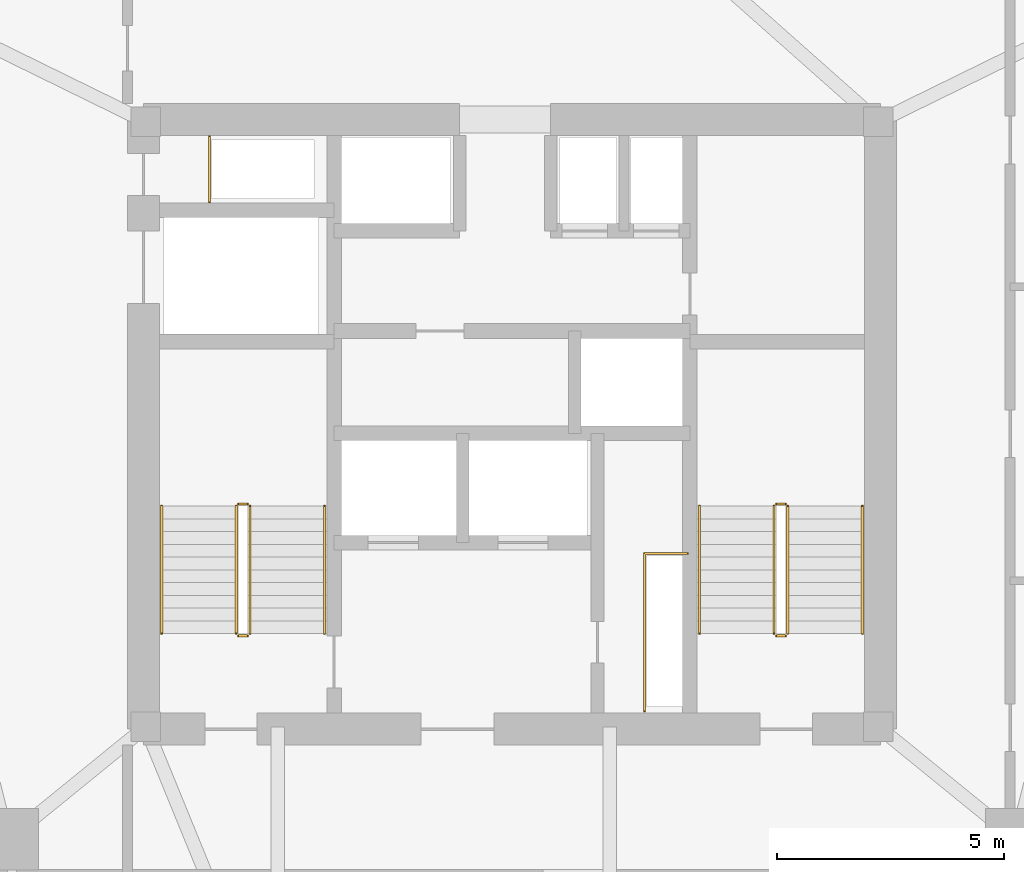
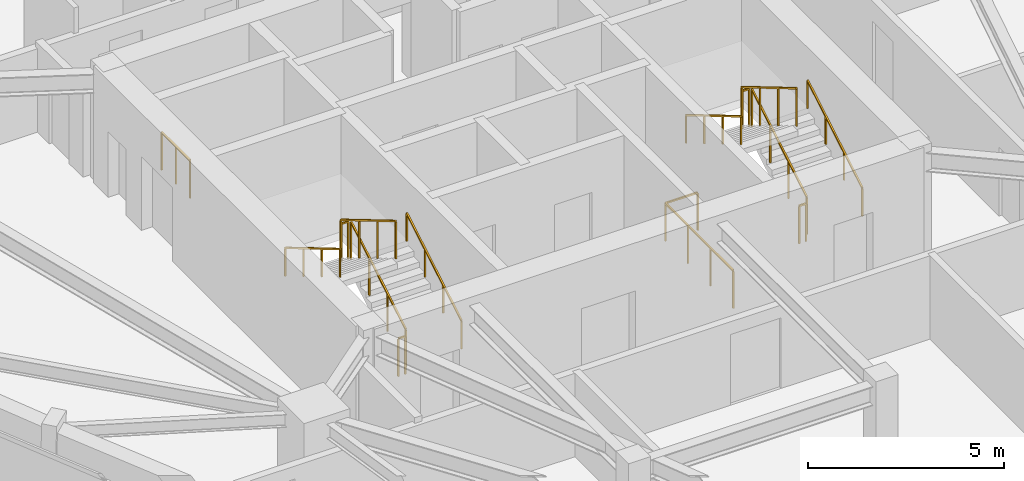
# One storey, part 12 of 12: 14 railings.
"""IFC4 building model written with IfcOpenShell, lengths in metres."""

from ifc_helpers import new_model, si_unit, direction, frame, origin, origin_2d, place, context, subcontext, project, spatial, rectangle, extrude, material, type_object, element, save


model = new_model("IFC4")

# Units and contexts
model_context = context("Model", 3, precision=1e-05, world=origin(), true_north=direction((0.0, 1.0)))
body_context = subcontext(model_context, "Body", "Model", "MODEL_VIEW")
ifc_project = project(units=[si_unit("LENGTHUNIT", "METRE"), si_unit("AREAUNIT", "SQUARE_METRE"), si_unit("VOLUMEUNIT", "CUBIC_METRE"), si_unit("PLANEANGLEUNIT", "RADIAN"), si_unit("MASSUNIT", "GRAM", prefix="KILO")], contexts=[model_context])

# Site, building, storey
site_placement = place(None, origin())
site = spatial("IfcSite", under=ifc_project, at=site_placement, CompositionType="ELEMENT")
building_placement = place(site_placement, origin())
building = spatial("IfcBuilding", under=site, at=building_placement, Name="Talyreon Biosciences Tower", CompositionType="ELEMENT")
storey_placement = place(building_placement, frame((0.0, 0.0, 183.050048828125)))
storey = spatial("IfcBuildingStorey", under=building, at=storey_placement, Name="L48", CompositionType="ELEMENT", Elevation=183.050048828125)

# Railings
ifc_material_1 = material(Name="Brushed stainless-steel tubular handrail", Category="steel")
railing_type_1 = type_object("IfcRailingType", Name="StairWallHandrail_900", PredefinedType="HANDRAIL", material=ifc_material_1)
railing_1_placement = place(storey_placement, frame((61.8798828125, 63.39990234375, 0.165771484375)))
element("IfcRailing", 1, at=railing_1_placement, inside=storey, type_object=railing_type_1, Name="L48 ST-1 stair handrail 1", PredefinedType="HANDRAIL", context=body_context, shape_type="SweptSolid", body=[
    extrude(rectangle(XDim=0.048095703125, YDim=0.048095703125, at=origin_2d()), frame((0.0, 0.0, 0.8759765625), z_axis=(0.0, 0.860306154799, 0.50977771628), x_axis=(-1.0, 0.0, 0.0)), (0.0, 0.0, 1.0), 3.254638671875),
    extrude(rectangle(XDim=0.0419921875, YDim=0.0419921875, at=origin_2d()), origin(), (0.0, 0.0, 1.0), 0.851806640625),
    extrude(rectangle(XDim=0.0419921875, YDim=0.0419921875, at=origin_2d()), frame((0.0, 0.933349609375, 0.552978515625)), (0.0, 0.0, 1.0), 0.851806640625),
    extrude(rectangle(XDim=0.0419921875, YDim=0.0419921875, at=origin_2d()), frame((0.0, 1.86669921875, 1.106201171875)), (0.0, 0.0, 1.0), 0.851806640625),
    extrude(rectangle(XDim=0.0419921875, YDim=0.0419921875, at=origin_2d()), frame((0.0, 2.800048828125, 1.6591796875)), (0.0, 0.0, 1.0), 0.851806640625),
])
railing_2_placement = place(storey_placement, frame((58.300048828125, 66.199951171875, 1.990966796875)))
element("IfcRailing", 2, at=railing_2_placement, inside=storey, type_object=railing_type_1, Name="L48 ST-1 stair handrail 2", PredefinedType="HANDRAIL", context=body_context, shape_type="SweptSolid", body=[
    extrude(rectangle(XDim=0.048095703125, YDim=0.048095703125, at=origin_2d()), frame((0.0, 0.0, 0.8759765625), z_axis=(0.0, -0.860339051648, 0.50972219513), x_axis=(1.0, 0.0, 0.0)), (0.0, 0.0, 1.0), 3.254638671875),
    extrude(rectangle(XDim=0.0419921875, YDim=0.0419921875, at=origin_2d()), origin(), (0.0, 0.0, 1.0), 0.851806640625),
    extrude(rectangle(XDim=0.0419921875, YDim=0.0419921875, at=origin_2d()), frame((0.0, -0.933349609375, 0.552978515625)), (0.0, 0.0, 1.0), 0.851806640625),
    extrude(rectangle(XDim=0.0419921875, YDim=0.0419921875, at=origin_2d()), frame((0.0, -1.86669921875, 1.10595703125)), (0.0, 0.0, 1.0), 0.851806640625),
    extrude(rectangle(XDim=0.0419921875, YDim=0.0419921875, at=origin_2d()), frame((0.0, -2.800048828125, 1.658935546875)), (0.0, 0.0, 1.0), 0.851806640625),
])
railing_3_placement = place(storey_placement, frame((73.699951171875, 63.39990234375, 0.165771484375)))
element("IfcRailing", 3, at=railing_3_placement, inside=storey, type_object=railing_type_1, Name="L48 ST-2 stair handrail 1", PredefinedType="HANDRAIL", context=body_context, shape_type="SweptSolid", body=[
    extrude(rectangle(XDim=0.048095703125, YDim=0.048095703125, at=origin_2d()), frame((0.0, 0.0, 0.8759765625), z_axis=(0.0, 0.860306154799, 0.50977771628), x_axis=(-1.0, 0.0, 0.0)), (0.0, 0.0, 1.0), 3.254638671875),
    extrude(rectangle(XDim=0.0419921875, YDim=0.0419921875, at=origin_2d()), origin(), (0.0, 0.0, 1.0), 0.851806640625),
    extrude(rectangle(XDim=0.0419921875, YDim=0.0419921875, at=origin_2d()), frame((0.0, 0.933349609375, 0.552978515625)), (0.0, 0.0, 1.0), 0.851806640625),
    extrude(rectangle(XDim=0.0419921875, YDim=0.0419921875, at=origin_2d()), frame((0.0, 1.86669921875, 1.106201171875)), (0.0, 0.0, 1.0), 0.851806640625),
    extrude(rectangle(XDim=0.0419921875, YDim=0.0419921875, at=origin_2d()), frame((0.0, 2.800048828125, 1.6591796875)), (0.0, 0.0, 1.0), 0.851806640625),
])
railing_4_placement = place(storey_placement, frame((70.1201171875, 66.199951171875, 1.990966796875)))
element("IfcRailing", 4, at=railing_4_placement, inside=storey, type_object=railing_type_1, Name="L48 ST-2 stair handrail 2", PredefinedType="HANDRAIL", context=body_context, shape_type="SweptSolid", body=[
    extrude(rectangle(XDim=0.048095703125, YDim=0.048095703125, at=origin_2d()), frame((0.0, 0.0, 0.8759765625), z_axis=(0.0, -0.860339051648, 0.50972219513), x_axis=(1.0, 0.0, 0.0)), (0.0, 0.0, 1.0), 3.254638671875),
    extrude(rectangle(XDim=0.0419921875, YDim=0.0419921875, at=origin_2d()), origin(), (0.0, 0.0, 1.0), 0.851806640625),
    extrude(rectangle(XDim=0.0419921875, YDim=0.0419921875, at=origin_2d()), frame((0.0, -0.933349609375, 0.552978515625)), (0.0, 0.0, 1.0), 0.851806640625),
    extrude(rectangle(XDim=0.0419921875, YDim=0.0419921875, at=origin_2d()), frame((0.0, -1.86669921875, 1.10595703125)), (0.0, 0.0, 1.0), 0.851806640625),
    extrude(rectangle(XDim=0.0419921875, YDim=0.0419921875, at=origin_2d()), frame((0.0, -2.800048828125, 1.658935546875)), (0.0, 0.0, 1.0), 0.851806640625),
])
ifc_material_2 = material(Name="Painted galvanised steel post-and-rail balustrade", Category="steel")
railing_type_2 = type_object("IfcRailingType", Name="TerraceStairGuard_1200", PredefinedType="GUARDRAIL", material=ifc_material_2)
railing_5_placement = place(storey_placement, frame((60.239990234375, 63.39990234375, 0.165771484375)))
element("IfcRailing", 5, at=railing_5_placement, inside=storey, type_object=railing_type_2, Name="L48 ST-1 stair guard 1", PredefinedType="GUARDRAIL", context=body_context, shape_type="SweptSolid", body=[
    extrude(rectangle(XDim=0.048095703125, YDim=0.048095703125, at=origin_2d()), frame((0.0, 0.0, 1.17578125), z_axis=(0.0, 0.860306154799, 0.50977771628), x_axis=(-1.0, 0.0, 0.0)), (0.0, 0.0, 1.0), 3.254638671875),
    extrude(rectangle(XDim=0.0419921875, YDim=0.0419921875, at=origin_2d()), origin(), (0.0, 0.0, 1.0), 1.15185546875),
    extrude(rectangle(XDim=0.0419921875, YDim=0.0419921875, at=origin_2d()), frame((0.0, 0.933349609375, 0.552978515625)), (0.0, 0.0, 1.0), 1.15185546875),
    extrude(rectangle(XDim=0.0419921875, YDim=0.0419921875, at=origin_2d()), frame((0.0, 1.86669921875, 1.106201171875)), (0.0, 0.0, 1.0), 1.15185546875),
    extrude(rectangle(XDim=0.0419921875, YDim=0.0419921875, at=origin_2d()), frame((0.0, 2.800048828125, 1.6591796875)), (0.0, 0.0, 1.0), 1.15185546875),
])
railing_6_placement = place(storey_placement, frame((60.18994140625, 66.25, 1.824951171875)))
element("IfcRailing", 6, at=railing_6_placement, inside=storey, type_object=railing_type_2, Name="L48 ST-1 stair guard 2", PredefinedType="GUARDRAIL", context=body_context, shape_type="SweptSolid", body=[
    extrude(rectangle(XDim=0.048095703125, YDim=0.048095703125, at=origin_2d()), frame((0.0, 0.0, 1.17578125), z_axis=(-1.0, 0.0, 0.0), x_axis=(0.0, -1.0, 0.0)), (0.0, 0.0, 1.0), 0.199951171875),
    extrude(rectangle(XDim=0.0419921875, YDim=0.0419921875, at=origin_2d()), origin(), (0.0, 0.0, 1.0), 1.15185546875),
    extrude(rectangle(XDim=0.0419921875, YDim=0.0419921875, at=origin_2d()), frame((-0.199951171875, 0.0, 0.0)), (0.0, 0.0, 1.0), 1.15185546875),
])
railing_7_placement = place(storey_placement, frame((59.93994140625, 66.199951171875, 1.990966796875)))
element("IfcRailing", 7, at=railing_7_placement, inside=storey, type_object=railing_type_2, Name="L48 ST-1 stair guard 3", PredefinedType="GUARDRAIL", context=body_context, shape_type="SweptSolid", body=[
    extrude(rectangle(XDim=0.048095703125, YDim=0.048095703125, at=origin_2d()), frame((0.0, 0.0, 1.17578125), z_axis=(0.0, -0.860339051648, 0.50972219513), x_axis=(1.0, 0.0, 0.0)), (0.0, 0.0, 1.0), 3.254638671875),
    extrude(rectangle(XDim=0.0419921875, YDim=0.0419921875, at=origin_2d()), origin(), (0.0, 0.0, 1.0), 1.15185546875),
    extrude(rectangle(XDim=0.0419921875, YDim=0.0419921875, at=origin_2d()), frame((0.0, -0.933349609375, 0.552978515625)), (0.0, 0.0, 1.0), 1.15185546875),
    extrude(rectangle(XDim=0.0419921875, YDim=0.0419921875, at=origin_2d()), frame((0.0, -1.86669921875, 1.10595703125)), (0.0, 0.0, 1.0), 1.15185546875),
    extrude(rectangle(XDim=0.0419921875, YDim=0.0419921875, at=origin_2d()), frame((0.0, -2.800048828125, 1.658935546875)), (0.0, 0.0, 1.0), 1.15185546875),
])
railing_8_placement = place(storey_placement, frame((60.18994140625, 63.35009765625, 0.0)))
element("IfcRailing", 8, at=railing_8_placement, inside=storey, type_object=railing_type_2, Name="L48 ST-1 stair guard 4", PredefinedType="GUARDRAIL", context=body_context, shape_type="SweptSolid", body=[
    extrude(rectangle(XDim=0.048095703125, YDim=0.048095703125, at=origin_2d()), frame((0.0, 0.0, 1.17578125), z_axis=(-1.0, 0.0, 0.0), x_axis=(0.0, -1.0, 0.0)), (0.0, 0.0, 1.0), 0.199951171875),
    extrude(rectangle(XDim=0.0419921875, YDim=0.0419921875, at=origin_2d()), origin(), (0.0, 0.0, 1.0), 1.15185546875),
    extrude(rectangle(XDim=0.0419921875, YDim=0.0419921875, at=origin_2d()), frame((-0.199951171875, 0.0, 0.0)), (0.0, 0.0, 1.0), 1.15185546875),
])
railing_9_placement = place(storey_placement, frame((72.06005859375, 63.39990234375, 0.165771484375)))
element("IfcRailing", 9, at=railing_9_placement, inside=storey, type_object=railing_type_2, Name="L48 ST-2 stair guard 1", PredefinedType="GUARDRAIL", context=body_context, shape_type="SweptSolid", body=[
    extrude(rectangle(XDim=0.048095703125, YDim=0.048095703125, at=origin_2d()), frame((0.0, 0.0, 1.17578125), z_axis=(0.0, 0.860306154799, 0.50977771628), x_axis=(-1.0, 0.0, 0.0)), (0.0, 0.0, 1.0), 3.254638671875),
    extrude(rectangle(XDim=0.0419921875, YDim=0.0419921875, at=origin_2d()), origin(), (0.0, 0.0, 1.0), 1.15185546875),
    extrude(rectangle(XDim=0.0419921875, YDim=0.0419921875, at=origin_2d()), frame((0.0, 0.933349609375, 0.552978515625)), (0.0, 0.0, 1.0), 1.15185546875),
    extrude(rectangle(XDim=0.0419921875, YDim=0.0419921875, at=origin_2d()), frame((0.0, 1.86669921875, 1.106201171875)), (0.0, 0.0, 1.0), 1.15185546875),
    extrude(rectangle(XDim=0.0419921875, YDim=0.0419921875, at=origin_2d()), frame((0.0, 2.800048828125, 1.6591796875)), (0.0, 0.0, 1.0), 1.15185546875),
])
railing_10_placement = place(storey_placement, frame((72.010009765625, 66.25, 1.824951171875)))
element("IfcRailing", 10, at=railing_10_placement, inside=storey, type_object=railing_type_2, Name="L48 ST-2 stair guard 2", PredefinedType="GUARDRAIL", context=body_context, shape_type="SweptSolid", body=[
    extrude(rectangle(XDim=0.048095703125, YDim=0.048095703125, at=origin_2d()), frame((0.0, 0.0, 1.17578125), z_axis=(-1.0, 0.0, 0.0), x_axis=(0.0, -1.0, 0.0)), (0.0, 0.0, 1.0), 0.199951171875),
    extrude(rectangle(XDim=0.0419921875, YDim=0.0419921875, at=origin_2d()), origin(), (0.0, 0.0, 1.0), 1.15185546875),
    extrude(rectangle(XDim=0.0419921875, YDim=0.0419921875, at=origin_2d()), frame((-0.199951171875, 0.0, 0.0)), (0.0, 0.0, 1.0), 1.15185546875),
])
railing_11_placement = place(storey_placement, frame((71.760009765625, 66.199951171875, 1.990966796875)))
element("IfcRailing", 11, at=railing_11_placement, inside=storey, type_object=railing_type_2, Name="L48 ST-2 stair guard 3", PredefinedType="GUARDRAIL", context=body_context, shape_type="SweptSolid", body=[
    extrude(rectangle(XDim=0.048095703125, YDim=0.048095703125, at=origin_2d()), frame((0.0, 0.0, 1.17578125), z_axis=(0.0, -0.860339051648, 0.50972219513), x_axis=(1.0, 0.0, 0.0)), (0.0, 0.0, 1.0), 3.254638671875),
    extrude(rectangle(XDim=0.0419921875, YDim=0.0419921875, at=origin_2d()), origin(), (0.0, 0.0, 1.0), 1.15185546875),
    extrude(rectangle(XDim=0.0419921875, YDim=0.0419921875, at=origin_2d()), frame((0.0, -0.933349609375, 0.552978515625)), (0.0, 0.0, 1.0), 1.15185546875),
    extrude(rectangle(XDim=0.0419921875, YDim=0.0419921875, at=origin_2d()), frame((0.0, -1.86669921875, 1.10595703125)), (0.0, 0.0, 1.0), 1.15185546875),
    extrude(rectangle(XDim=0.0419921875, YDim=0.0419921875, at=origin_2d()), frame((0.0, -2.800048828125, 1.658935546875)), (0.0, 0.0, 1.0), 1.15185546875),
])
railing_12_placement = place(storey_placement, frame((72.010009765625, 63.35009765625, 0.0)))
element("IfcRailing", 12, at=railing_12_placement, inside=storey, type_object=railing_type_2, Name="L48 ST-2 stair guard 4", PredefinedType="GUARDRAIL", context=body_context, shape_type="SweptSolid", body=[
    extrude(rectangle(XDim=0.048095703125, YDim=0.048095703125, at=origin_2d()), frame((0.0, 0.0, 1.17578125), z_axis=(-1.0, 0.0, 0.0), x_axis=(0.0, -1.0, 0.0)), (0.0, 0.0, 1.0), 0.199951171875),
    extrude(rectangle(XDim=0.0419921875, YDim=0.0419921875, at=origin_2d()), origin(), (0.0, 0.0, 1.0), 1.15185546875),
    extrude(rectangle(XDim=0.0419921875, YDim=0.0419921875, at=origin_2d()), frame((-0.199951171875, 0.0, 0.0)), (0.0, 0.0, 1.0), 1.15185546875),
])
railing_13_placement = place(storey_placement, frame((59.35009765625, 72.8798828125, 0.0)))
element("IfcRailing", 13, at=railing_13_placement, inside=storey, type_object=railing_type_2, Name="L48 Exhaust Riser Maintenance Guardrail", PredefinedType="GUARDRAIL", context=body_context, shape_type="SweptSolid", body=[
    extrude(rectangle(XDim=0.048095703125, YDim=0.048095703125, at=origin_2d()), frame((0.0, 0.0, 1.17578125), z_axis=(0.0, 1.0, 0.0), x_axis=(-1.0, 0.0, 0.0)), (0.0, 0.0, 1.0), 1.4501953125),
    extrude(rectangle(XDim=0.0419921875, YDim=0.0419921875, at=origin_2d()), origin(), (0.0, 0.0, 1.0), 1.15185546875),
    extrude(rectangle(XDim=0.0419921875, YDim=0.0419921875, at=origin_2d()), frame((0.0, 0.72509765625, 0.0)), (0.0, 0.0, 1.0), 1.15185546875),
    extrude(rectangle(XDim=0.0419921875, YDim=0.0419921875, at=origin_2d()), frame((0.0, 1.4501953125, 0.0)), (0.0, 0.0, 1.0), 1.15185546875),
])
railing_14_placement = place(storey_placement, frame((68.909912109375, 61.699951171875, 0.0)))
element("IfcRailing", 14, at=railing_14_placement, inside=storey, type_object=railing_type_2, Name="L48 Electrical Riser Maintenance Guardrail", PredefinedType="GUARDRAIL", context=body_context, shape_type="SweptSolid", body=[
    extrude(rectangle(XDim=0.048095703125, YDim=0.048095703125, at=origin_2d()), frame((0.0, 0.0, 1.17578125), z_axis=(0.0, 1.0, 0.0), x_axis=(-1.0, 0.0, 0.0)), (0.0, 0.0, 1.0), 3.4599609375),
    extrude(rectangle(XDim=0.048095703125, YDim=0.048095703125, at=origin_2d()), frame((0.0, 3.4599609375, 1.17578125), z_axis=(1.0, 0.0, 0.0), x_axis=(0.0, 1.0, 0.0)), (0.0, 0.0, 1.0), 0.9501953125),
    extrude(rectangle(XDim=0.0419921875, YDim=0.0419921875, at=origin_2d()), origin(), (0.0, 0.0, 1.0), 1.15185546875),
    extrude(rectangle(XDim=0.0419921875, YDim=0.0419921875, at=origin_2d()), frame((0.0, 1.1533203125, 0.0)), (0.0, 0.0, 1.0), 1.15185546875),
    extrude(rectangle(XDim=0.0419921875, YDim=0.0419921875, at=origin_2d()), frame((0.0, 2.306640625, 0.0)), (0.0, 0.0, 1.0), 1.15185546875),
    extrude(rectangle(XDim=0.0419921875, YDim=0.0419921875, at=origin_2d()), frame((0.0, 3.4599609375, 0.0)), (0.0, 0.0, 1.0), 1.15185546875),
    extrude(rectangle(XDim=0.0419921875, YDim=0.0419921875, at=origin_2d()), frame((0.9501953125, 3.4599609375, 0.0)), (0.0, 0.0, 1.0), 1.15185546875),
])

save(model, "model.ifc")
